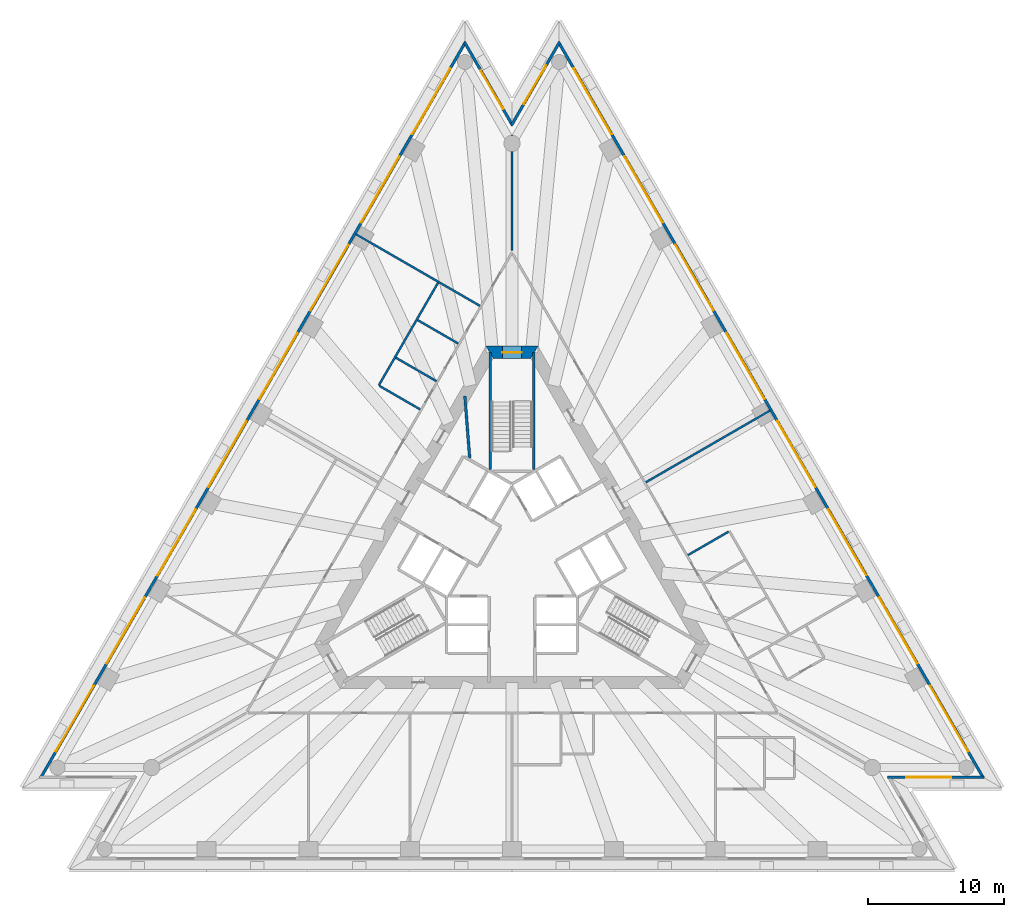
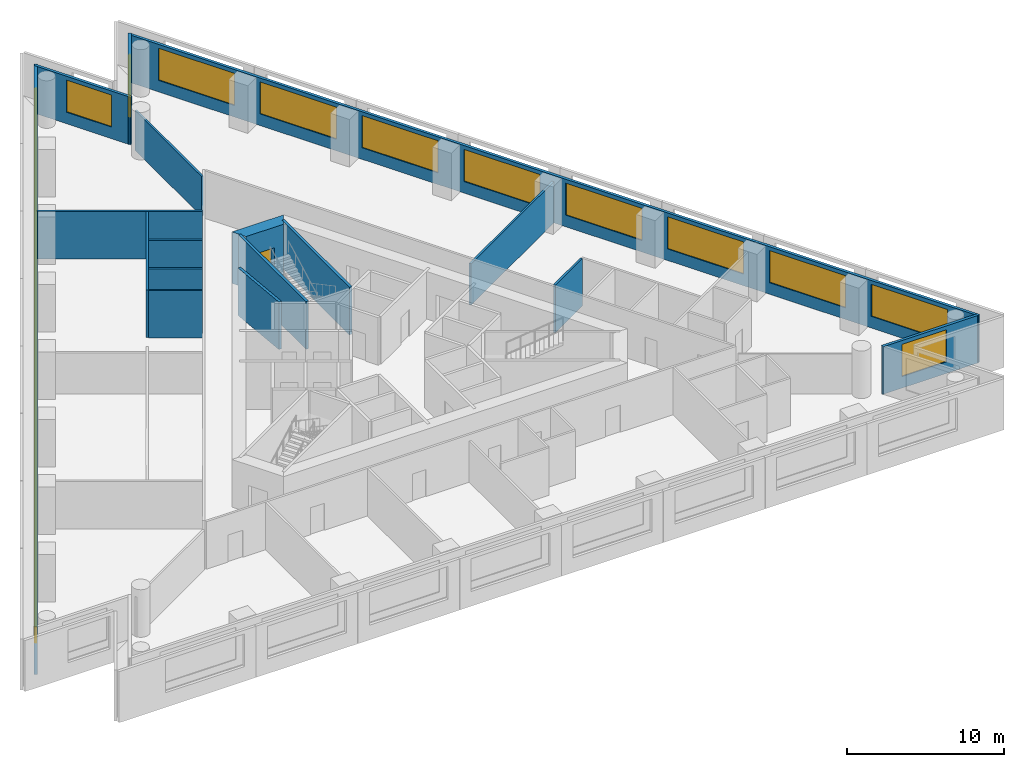
# One storey, part 6 of 9: 19 windows, 17 walls, 1 door, 20 openings.
"""IFC4 building model written with IfcOpenShell, lengths in metres."""

from ifc_helpers import new_model, si_unit, direction, frame, frame_2d, origin, place, context, subcontext, project, spatial, polyline, rectangle, outline, extrude, material, layer, layer_set, layer_usage, type_object, element, fill, save


model = new_model("IFC4")

# Units and contexts
model_context = context("Model", 3, precision=1e-05, world=origin(), true_north=direction((0.0, 1.0)))
body_context = subcontext(model_context, "Body", "Model", "MODEL_VIEW")
ifc_project = project(units=[si_unit("LENGTHUNIT", "METRE"), si_unit("AREAUNIT", "SQUARE_METRE"), si_unit("VOLUMEUNIT", "CUBIC_METRE"), si_unit("PLANEANGLEUNIT", "RADIAN"), si_unit("MASSUNIT", "GRAM", prefix="KILO")], contexts=[model_context])

# Site, building, storey
site_placement = place(None, origin())
site = spatial("IfcSite", under=ifc_project, at=site_placement, CompositionType="ELEMENT")
building_placement = place(site_placement, origin())
building = spatial("IfcBuilding", under=site, at=building_placement, Name="Triada Interchange Tower", CompositionType="ELEMENT")
storey_placement = place(building_placement, frame((0.0, 0.0, 47.300048828125)))
storey = spatial("IfcBuildingStorey", under=building, at=storey_placement, Name="L09", CompositionType="ELEMENT", Elevation=47.300048828125)

# Walls
ifc_material_1 = material(Name="Concrete C30/37", Category="concrete")
ifc_layer_1 = layer(ifc_material_1, 0.199951171875)
ifc_layer_set_1 = layer_set([ifc_layer_1], Name="CORE WALL 200 EI 90")
wall_type_1 = type_object("IfcWallType", Name="CORE WALL 200 EI 90", PredefinedType="SOLIDWALL", material=ifc_layer_set_1)
wall_1_placement = place(storey_placement, frame((-3.470947265625, 12.048095703125, 0.0), z_axis=(0.0, 0.0, 1.0), x_axis=(0.077900012222, -0.996961176825, 0.0)))
element("IfcWall", 1, at=wall_1_placement, inside=storey, type_object=wall_type_1, Name="Wall L09 74", PredefinedType="SOLIDWALL", context=body_context, shape_type="SweptSolid", body=[
    extrude(rectangle(XDim=4.60693359375, YDim=0.199951171875, at=frame_2d((2.303466796875, 0.0))), origin(), (0.0, 0.0, 1.0), 3.699951171875),
])
ifc_layer_2 = layer(ifc_material_1, 0.199951171875)
ifc_layer_set_2 = layer_set([ifc_layer_2], Name="CORE WALL 200 REI 240")
wall_type_2 = type_object("IfcWallType", Name="CORE WALL 200 REI 240", PredefinedType="SOLIDWALL", material=ifc_layer_set_2)
for number, where, z_axis, x_axis, name in (
    (2, (1.60009765625, 6.614990234375, 0.0), (0.0, 0.0, 1.0), (0.0, 1.0, 0.0), "Wall L09 78"),
    (3, (-1.60009765625, 6.614990234375, 0.0), (0.0, 0.0, 1.0), (0.0, 1.0, 0.0), "Wall L09 80"),
):
    element("IfcWall", number, at=place(storey_placement, frame(where, z_axis=z_axis, x_axis=x_axis)), inside=storey, type_object=wall_type_2, Name=name, PredefinedType="SOLIDWALL", context=body_context, shape_type="SweptSolid", body=[
        extrude(rectangle(XDim=8.614990234375, YDim=0.199951171875, at=frame_2d((4.3076171875, 0.0))), origin(), (0.0, 0.0, 1.0), 3.699951171875),
    ])

# Wall, opening, door
ifc_material_2 = material(Name="Concrete C70/85", Category="concrete")
ifc_layer_3 = layer(ifc_material_2, 0.89990234375)
ifc_layer_set_3 = layer_set([ifc_layer_3], Name="Core wall A 900")
wall_type_3 = type_object("IfcWallType", Name="Core wall A 900", PredefinedType="SHEAR", material=ifc_layer_set_3)
wall_2_placement = place(storey_placement, frame((1.64501953125, 15.25, -0.300048828125), z_axis=(0.0, 0.0, 1.0), x_axis=(-1.0, 0.0, 0.0)))
wall_2 = element("IfcWall", 4, at=wall_2_placement, inside=storey, type_object=wall_type_3, Name="Core wall WA01 L09", PredefinedType="SHEAR", context=body_context, shape_type="SweptSolid", body=[
    extrude(outline(polyline([(-0.260009765625, -0.449951171875), (1.64501953125, -0.449951171875), (3.550048828125, -0.449951171875), (3.031005859375, 0.449951171875), (1.64501953125, 0.449951171875), (0.259033203125, 0.449951171875), (-0.260009765625, -0.449951171875)])), origin(), (0.0, 0.0, 1.0), 4.0),
])
opening_1_placement = place(wall_2_placement, frame((0.945068359375, 0.0, 0.300048828125)))
opening_1 = element("IfcOpeningElement", 5, at=opening_1_placement, cuts=wall_2, Name="Opening D09-36", PredefinedType="OPENING", context=body_context, shape_type="SweptSolid", body=[
    extrude(rectangle(XDim=1.39990234375, YDim=2.10009765625, at=frame_2d((0.699951171875, 1.050048828125))), frame((0.0, 0.4599609375, 0.0), z_axis=(0.0, -1.0, 0.0), x_axis=(1.0, 0.0, 0.0)), (0.0, 0.0, 1.0), 0.919921875),
])
ifc_material_3 = material(Name="Steel S235 door leaf", Category="steel")
door_type = type_object("IfcDoorType", Name="STAIR DOOR 1400 EI2 90-C5S200", OperationType="DOUBLE_DOOR_SINGLE_SWING", PredefinedType="DOOR", material=ifc_material_3)
door_placement = place(opening_1_placement, origin())
door = element("IfcDoor", 6, at=door_placement, inside=storey, type_object=door_type, Name="Door D09-36 L09", OperationType="DOUBLE_DOOR_SINGLE_SWING", OverallHeight=2.10009765625, OverallWidth=1.39990234375, PredefinedType="DOOR", context=body_context, shape_type="SweptSolid", body=[
    extrude(rectangle(XDim=1.39990234375, YDim=2.10009765625, at=frame_2d((0.699951171875, 1.050048828125))), frame((0.0, 0.02490234375, 0.0), z_axis=(0.0, -1.0, 0.0), x_axis=(1.0, 0.0, 0.0)), (0.0, 0.0, 1.0), 0.050048828125),
])
fill(opening_1, door)

# Wall, openings, windows
ifc_material_4 = material(Name="Cement board")
ifc_layer_4 = layer(ifc_material_4, 0.02001953125, Name="Cement board cladding")
ifc_material_5 = material(Name="Sheathing board")
ifc_layer_5 = layer(ifc_material_5, 0.014892578125, Name="Sheathing board")
ifc_material_6 = material(Name="Mineral wool")
ifc_layer_6 = layer(ifc_material_6, 0.14990234375, Name="Mineral wool between steel studs")
ifc_material_7 = material(Name="Gypsum board")
ifc_layer_7 = layer(ifc_material_7, 0.014892578125, Name="Plasterboard lining")
ifc_layer_set_4 = layer_set([ifc_layer_4, ifc_layer_5, ifc_layer_6, ifc_layer_7], Name="External wall 200")
ifc_layer_usage = layer_usage(ifc_layer_set_4, "AXIS2", "POSITIVE", -0.10009765625)
wall_type_4 = type_object("IfcWallType", Name="External wall 200", PredefinedType="ELEMENTEDWALL", material=ifc_layer_set_4)
wall_3_placement = place(storey_placement, frame((-3.4169921875, 38.095947265625, 0.0), z_axis=(0.0, 0.0, 1.0), x_axis=(-0.500000412988, -0.866025165346, 0.0)))
wall_3 = element("IfcWall", 7, at=wall_3_placement, inside=storey, type_object=wall_type_4, material=ifc_layer_usage, Name="External wall L09 NW", PredefinedType="ELEMENTEDWALL", context=body_context, shape_type="SweptSolid", body=[
    extrude(rectangle(XDim=62.5478515625, YDim=0.199951171875, at=frame_2d((31.27392578125, 0.0))), origin(), (0.0, 0.0, 1.0), 3.699951171875),
])
opening_2_placement = place(wall_3_placement, frame((2.25, 0.0, 0.89990234375)))
opening_2 = element("IfcOpeningElement", 8, at=opening_2_placement, cuts=wall_3, Name="Opening WA01", PredefinedType="OPENING", context=body_context, shape_type="SweptSolid", body=[
    extrude(rectangle(XDim=5.60009765625, YDim=2.5, at=frame_2d((2.800048828125, 1.25))), frame((0.0, 0.10986328125, 0.0), z_axis=(0.0, -1.0, 0.0), x_axis=(1.0, 0.0, 0.0)), (0.0, 0.0, 1.0), 0.219970703125),
])
opening_3_placement = place(wall_3_placement, frame((9.7451171875, 0.0, 0.89990234375)))
opening_3 = element("IfcOpeningElement", 9, at=opening_3_placement, cuts=wall_3, Name="Opening WA02", PredefinedType="OPENING", context=body_context, shape_type="SweptSolid", body=[
    extrude(rectangle(XDim=5.60009765625, YDim=2.5, at=frame_2d((2.800048828125, 1.25))), frame((0.0, 0.10986328125, 0.0), z_axis=(0.0, -1.0, 0.0), x_axis=(1.0, 0.0, 0.0)), (0.0, 0.0, 1.0), 0.219970703125),
])
opening_4_placement = place(wall_3_placement, frame((17.240966796875, 0.0, 0.89990234375)))
opening_4 = element("IfcOpeningElement", 10, at=opening_4_placement, cuts=wall_3, Name="Opening WA03", PredefinedType="OPENING", context=body_context, shape_type="SweptSolid", body=[
    extrude(rectangle(XDim=5.60009765625, YDim=2.5, at=frame_2d((2.800048828125, 1.25))), frame((0.0, 0.10986328125, 0.0), z_axis=(0.0, -1.0, 0.0), x_axis=(1.0, 0.0, 0.0)), (0.0, 0.0, 1.0), 0.219970703125),
])
opening_5_placement = place(wall_3_placement, frame((24.736083984375, 0.0, 0.89990234375)))
opening_5 = element("IfcOpeningElement", 11, at=opening_5_placement, cuts=wall_3, Name="Opening WA04", PredefinedType="OPENING", context=body_context, shape_type="SweptSolid", body=[
    extrude(rectangle(XDim=5.60009765625, YDim=2.5, at=frame_2d((2.800048828125, 1.25))), frame((0.0, 0.10986328125, 0.0), z_axis=(0.0, -1.0, 0.0), x_axis=(1.0, 0.0, 0.0)), (0.0, 0.0, 1.0), 0.219970703125),
])
opening_6_placement = place(wall_3_placement, frame((32.23095703125, 0.0, 0.89990234375)))
opening_6 = element("IfcOpeningElement", 12, at=opening_6_placement, cuts=wall_3, Name="Opening WA05", PredefinedType="OPENING", context=body_context, shape_type="SweptSolid", body=[
    extrude(rectangle(XDim=5.60009765625, YDim=2.5, at=frame_2d((2.800048828125, 1.25))), frame((0.0, 0.10986328125, 0.0), z_axis=(0.0, -1.0, 0.0), x_axis=(1.0, 0.0, 0.0)), (0.0, 0.0, 1.0), 0.219970703125),
])
opening_7_placement = place(wall_3_placement, frame((39.72705078125, 0.0, 0.89990234375)))
opening_7 = element("IfcOpeningElement", 13, at=opening_7_placement, cuts=wall_3, Name="Opening WA06", PredefinedType="OPENING", context=body_context, shape_type="SweptSolid", body=[
    extrude(rectangle(XDim=5.60009765625, YDim=2.5, at=frame_2d((2.800048828125, 1.25))), frame((0.0, 0.10986328125, 0.0), z_axis=(0.0, -1.0, 0.0), x_axis=(1.0, 0.0, 0.0)), (0.0, 0.0, 1.0), 0.219970703125),
])
opening_8_placement = place(wall_3_placement, frame((47.221923828125, 0.0, 0.89990234375)))
opening_8 = element("IfcOpeningElement", 14, at=opening_8_placement, cuts=wall_3, Name="Opening WA07", PredefinedType="OPENING", context=body_context, shape_type="SweptSolid", body=[
    extrude(rectangle(XDim=5.60009765625, YDim=2.5, at=frame_2d((2.800048828125, 1.25))), frame((0.0, 0.10986328125, 0.0), z_axis=(0.0, -1.0, 0.0), x_axis=(1.0, 0.0, 0.0)), (0.0, 0.0, 1.0), 0.219970703125),
])
opening_9_placement = place(wall_3_placement, frame((54.717041015625, 0.0, 0.89990234375)))
opening_9 = element("IfcOpeningElement", 15, at=opening_9_placement, cuts=wall_3, Name="Opening WA08", PredefinedType="OPENING", context=body_context, shape_type="SweptSolid", body=[
    extrude(rectangle(XDim=5.60009765625, YDim=2.5, at=frame_2d((2.800048828125, 1.25))), frame((0.0, 0.10986328125, 0.0), z_axis=(0.0, -1.0, 0.0), x_axis=(1.0, 0.0, 0.0)), (0.0, 0.0, 1.0), 0.219970703125),
])
ifc_material_8 = material(Name="Double glazed aluminium window", Category="aluminium")
window_type_1 = type_object("IfcWindowType", Name="Ribbon window A face", PartitioningType="SINGLE_PANEL", PredefinedType="WINDOW", material=ifc_material_8)
window_1_placement = place(opening_2_placement, origin())
window_1 = element("IfcWindow", 16, at=window_1_placement, inside=storey, type_object=window_type_1, Name="Window L09 NW 1", OverallHeight=2.5, OverallWidth=5.60009765625, PartitioningType="SINGLE_PANEL", PredefinedType="WINDOW", context=body_context, shape_type="SweptSolid", body=[
    extrude(rectangle(XDim=5.60009765625, YDim=2.5, at=frame_2d((2.800048828125, 1.25))), frame((0.0, 0.030029296875, 0.0), z_axis=(0.0, -1.0, 0.0), x_axis=(1.0, 0.0, 0.0)), (0.0, 0.0, 1.0), 0.06005859375),
])
fill(opening_2, window_1)
window_2_placement = place(opening_3_placement, origin())
window_2 = element("IfcWindow", 17, at=window_2_placement, inside=storey, type_object=window_type_1, Name="Window L09 NW 2", OverallHeight=2.5, OverallWidth=5.60009765625, PartitioningType="SINGLE_PANEL", PredefinedType="WINDOW", context=body_context, shape_type="SweptSolid", body=[
    extrude(rectangle(XDim=5.60009765625, YDim=2.5, at=frame_2d((2.800048828125, 1.25))), frame((0.0, 0.030029296875, 0.0), z_axis=(0.0, -1.0, 0.0), x_axis=(1.0, 0.0, 0.0)), (0.0, 0.0, 1.0), 0.06005859375),
])
fill(opening_3, window_2)
window_3_placement = place(opening_4_placement, origin())
window_3 = element("IfcWindow", 18, at=window_3_placement, inside=storey, type_object=window_type_1, Name="Window L09 NW 3", OverallHeight=2.5, OverallWidth=5.60009765625, PartitioningType="SINGLE_PANEL", PredefinedType="WINDOW", context=body_context, shape_type="SweptSolid", body=[
    extrude(rectangle(XDim=5.60009765625, YDim=2.5, at=frame_2d((2.800048828125, 1.25))), frame((0.0, 0.030029296875, 0.0), z_axis=(0.0, -1.0, 0.0), x_axis=(1.0, 0.0, 0.0)), (0.0, 0.0, 1.0), 0.06005859375),
])
fill(opening_4, window_3)
window_4_placement = place(opening_5_placement, origin())
window_4 = element("IfcWindow", 19, at=window_4_placement, inside=storey, type_object=window_type_1, Name="Window L09 NW 4", OverallHeight=2.5, OverallWidth=5.60009765625, PartitioningType="SINGLE_PANEL", PredefinedType="WINDOW", context=body_context, shape_type="SweptSolid", body=[
    extrude(rectangle(XDim=5.60009765625, YDim=2.5, at=frame_2d((2.800048828125, 1.25))), frame((0.0, 0.030029296875, 0.0), z_axis=(0.0, -1.0, 0.0), x_axis=(1.0, 0.0, 0.0)), (0.0, 0.0, 1.0), 0.06005859375),
])
fill(opening_5, window_4)
window_5_placement = place(opening_6_placement, origin())
window_5 = element("IfcWindow", 20, at=window_5_placement, inside=storey, type_object=window_type_1, Name="Window L09 NW 5", OverallHeight=2.5, OverallWidth=5.60009765625, PartitioningType="SINGLE_PANEL", PredefinedType="WINDOW", context=body_context, shape_type="SweptSolid", body=[
    extrude(rectangle(XDim=5.60009765625, YDim=2.5, at=frame_2d((2.800048828125, 1.25))), frame((0.0, 0.030029296875, 0.0), z_axis=(0.0, -1.0, 0.0), x_axis=(1.0, 0.0, 0.0)), (0.0, 0.0, 1.0), 0.06005859375),
])
fill(opening_6, window_5)
window_6_placement = place(opening_7_placement, origin())
window_6 = element("IfcWindow", 21, at=window_6_placement, inside=storey, type_object=window_type_1, Name="Window L09 NW 6", OverallHeight=2.5, OverallWidth=5.60009765625, PartitioningType="SINGLE_PANEL", PredefinedType="WINDOW", context=body_context, shape_type="SweptSolid", body=[
    extrude(rectangle(XDim=5.60009765625, YDim=2.5, at=frame_2d((2.800048828125, 1.25))), frame((0.0, 0.030029296875, 0.0), z_axis=(0.0, -1.0, 0.0), x_axis=(1.0, 0.0, 0.0)), (0.0, 0.0, 1.0), 0.06005859375),
])
fill(opening_7, window_6)
window_7_placement = place(opening_8_placement, origin())
window_7 = element("IfcWindow", 22, at=window_7_placement, inside=storey, type_object=window_type_1, Name="Window L09 NW 7", OverallHeight=2.5, OverallWidth=5.60009765625, PartitioningType="SINGLE_PANEL", PredefinedType="WINDOW", context=body_context, shape_type="SweptSolid", body=[
    extrude(rectangle(XDim=5.60009765625, YDim=2.5, at=frame_2d((2.800048828125, 1.25))), frame((0.0, 0.030029296875, 0.0), z_axis=(0.0, -1.0, 0.0), x_axis=(1.0, 0.0, 0.0)), (0.0, 0.0, 1.0), 0.06005859375),
])
fill(opening_8, window_7)
window_8_placement = place(opening_9_placement, origin())
window_8 = element("IfcWindow", 23, at=window_8_placement, inside=storey, type_object=window_type_1, Name="Window L09 NW 8", OverallHeight=2.5, OverallWidth=5.60009765625, PartitioningType="SINGLE_PANEL", PredefinedType="WINDOW", context=body_context, shape_type="SweptSolid", body=[
    extrude(rectangle(XDim=5.60009765625, YDim=2.5, at=frame_2d((2.800048828125, 1.25))), frame((0.0, 0.030029296875, 0.0), z_axis=(0.0, -1.0, 0.0), x_axis=(1.0, 0.0, 0.0)), (0.0, 0.0, 1.0), 0.06005859375),
])
fill(opening_9, window_8)

# Wall, opening, window
wall_4_placement = place(storey_placement, frame((27.64208984375, -16.010986328125, 0.0), z_axis=(0.0, 0.0, 1.0), x_axis=(1.0, 0.0, 0.0)))
wall_4 = element("IfcWall", 24, at=wall_4_placement, inside=storey, type_object=wall_type_4, material=ifc_layer_usage, Name="External wall L09 SE-2", PredefinedType="ELEMENTEDWALL", context=body_context, shape_type="SweptSolid", body=[
    extrude(rectangle(XDim=7.083984375, YDim=0.199951171875, at=frame_2d((3.5419921875, 0.0))), origin(), (0.0, 0.0, 1.0), 3.699951171875),
])
opening_10_placement = place(wall_4_placement, frame((1.389892578125, 0.0, 0.89990234375)))
opening_10 = element("IfcOpeningElement", 25, at=opening_10_placement, cuts=wall_4, Name="Opening WA20", PredefinedType="OPENING", context=body_context, shape_type="SweptSolid", body=[
    extrude(rectangle(XDim=3.300048828125, YDim=2.5, at=frame_2d((1.64990234375, 1.25))), frame((0.0, 0.10986328125, 0.0), z_axis=(0.0, -1.0, 0.0), x_axis=(1.0, 0.0, 0.0)), (0.0, 0.0, 1.0), 0.219970703125),
])
window_type_2 = type_object("IfcWindowType", Name="Ribbon window A pocket", PartitioningType="SINGLE_PANEL", PredefinedType="WINDOW", material=ifc_material_8)
window_9_placement = place(opening_10_placement, origin())
window_9 = element("IfcWindow", 26, at=window_9_placement, inside=storey, type_object=window_type_2, Name="Window L09 SE-2 1", OverallHeight=2.5, OverallWidth=3.300048828125, PartitioningType="SINGLE_PANEL", PredefinedType="WINDOW", context=body_context, shape_type="SweptSolid", body=[
    extrude(rectangle(XDim=3.300048828125, YDim=2.5, at=frame_2d((1.64990234375, 1.25))), frame((0.0, 0.030029296875, 0.0), z_axis=(0.0, -1.0, 0.0), x_axis=(1.0, 0.0, 0.0)), (0.0, 0.0, 1.0), 0.06005859375),
])
fill(opening_10, window_9)

# Wall, openings, windows
wall_5_placement = place(storey_placement, frame((34.700927734375, -16.089111328125, 0.0), z_axis=(0.0, 0.0, 1.0), x_axis=(-0.499998722828, 0.866026141159, 0.0)))
wall_5 = element("IfcWall", 27, at=wall_5_placement, inside=storey, type_object=wall_type_4, material=ifc_layer_usage, Name="External wall L09 NE", PredefinedType="ELEMENTEDWALL", context=body_context, shape_type="SweptSolid", body=[
    extrude(rectangle(XDim=62.548095703125, YDim=0.199951171875, at=frame_2d((31.27392578125, 0.0))), origin(), (0.0, 0.0, 1.0), 3.699951171875),
])
opening_11_placement = place(wall_5_placement, frame((2.25, 0.0, 0.89990234375)))
opening_11 = element("IfcOpeningElement", 28, at=opening_11_placement, cuts=wall_5, Name="Opening WA21", PredefinedType="OPENING", context=body_context, shape_type="SweptSolid", body=[
    extrude(rectangle(XDim=5.60009765625, YDim=2.5, at=frame_2d((2.800048828125, 1.25))), frame((0.0, 0.10986328125, 0.0), z_axis=(0.0, -1.0, 0.0), x_axis=(1.0, 0.0, 0.0)), (0.0, 0.0, 1.0), 0.219970703125),
])
opening_12_placement = place(wall_5_placement, frame((9.74609375, 0.0, 0.89990234375)))
opening_12 = element("IfcOpeningElement", 29, at=opening_12_placement, cuts=wall_5, Name="Opening WA22", PredefinedType="OPENING", context=body_context, shape_type="SweptSolid", body=[
    extrude(rectangle(XDim=5.60009765625, YDim=2.5, at=frame_2d((2.800048828125, 1.25))), frame((0.0, 0.10986328125, 0.0), z_axis=(0.0, -1.0, 0.0), x_axis=(1.0, 0.0, 0.0)), (0.0, 0.0, 1.0), 0.219970703125),
])
opening_13_placement = place(wall_5_placement, frame((17.240966796875, 0.0, 0.89990234375)))
opening_13 = element("IfcOpeningElement", 30, at=opening_13_placement, cuts=wall_5, Name="Opening WA23", PredefinedType="OPENING", context=body_context, shape_type="SweptSolid", body=[
    extrude(rectangle(XDim=5.60009765625, YDim=2.5, at=frame_2d((2.800048828125, 1.25))), frame((0.0, 0.10986328125, 0.0), z_axis=(0.0, -1.0, 0.0), x_axis=(1.0, 0.0, 0.0)), (0.0, 0.0, 1.0), 0.219970703125),
])
opening_14_placement = place(wall_5_placement, frame((24.736083984375, 0.0, 0.89990234375)))
opening_14 = element("IfcOpeningElement", 31, at=opening_14_placement, cuts=wall_5, Name="Opening WA24", PredefinedType="OPENING", context=body_context, shape_type="SweptSolid", body=[
    extrude(rectangle(XDim=5.60009765625, YDim=2.5, at=frame_2d((2.800048828125, 1.25))), frame((0.0, 0.10986328125, 0.0), z_axis=(0.0, -1.0, 0.0), x_axis=(1.0, 0.0, 0.0)), (0.0, 0.0, 1.0), 0.219970703125),
])
opening_15_placement = place(wall_5_placement, frame((32.23193359375, 0.0, 0.89990234375)))
opening_15 = element("IfcOpeningElement", 32, at=opening_15_placement, cuts=wall_5, Name="Opening WA25", PredefinedType="OPENING", context=body_context, shape_type="SweptSolid", body=[
    extrude(rectangle(XDim=5.60009765625, YDim=2.5, at=frame_2d((2.800048828125, 1.25))), frame((0.0, 0.10986328125, 0.0), z_axis=(0.0, -1.0, 0.0), x_axis=(1.0, 0.0, 0.0)), (0.0, 0.0, 1.0), 0.219970703125),
])
opening_16_placement = place(wall_5_placement, frame((39.72705078125, 0.0, 0.89990234375)))
opening_16 = element("IfcOpeningElement", 33, at=opening_16_placement, cuts=wall_5, Name="Opening WA26", PredefinedType="OPENING", context=body_context, shape_type="SweptSolid", body=[
    extrude(rectangle(XDim=5.60009765625, YDim=2.5, at=frame_2d((2.800048828125, 1.25))), frame((0.0, 0.10986328125, 0.0), z_axis=(0.0, -1.0, 0.0), x_axis=(1.0, 0.0, 0.0)), (0.0, 0.0, 1.0), 0.219970703125),
])
opening_17_placement = place(wall_5_placement, frame((47.221923828125, 0.0, 0.89990234375)))
opening_17 = element("IfcOpeningElement", 34, at=opening_17_placement, cuts=wall_5, Name="Opening WA27", PredefinedType="OPENING", context=body_context, shape_type="SweptSolid", body=[
    extrude(rectangle(XDim=5.60009765625, YDim=2.5, at=frame_2d((2.800048828125, 1.25))), frame((0.0, 0.10986328125, 0.0), z_axis=(0.0, -1.0, 0.0), x_axis=(1.0, 0.0, 0.0)), (0.0, 0.0, 1.0), 0.219970703125),
])
opening_18_placement = place(wall_5_placement, frame((54.717041015625, 0.0, 0.89990234375)))
opening_18 = element("IfcOpeningElement", 35, at=opening_18_placement, cuts=wall_5, Name="Opening WA28", PredefinedType="OPENING", context=body_context, shape_type="SweptSolid", body=[
    extrude(rectangle(XDim=5.60009765625, YDim=2.5, at=frame_2d((2.800048828125, 1.25))), frame((0.0, 0.10986328125, 0.0), z_axis=(0.0, -1.0, 0.0), x_axis=(1.0, 0.0, 0.0)), (0.0, 0.0, 1.0), 0.219970703125),
])
window_10_placement = place(opening_11_placement, origin())
window_10 = element("IfcWindow", 36, at=window_10_placement, inside=storey, type_object=window_type_1, Name="Window L09 NE 1", OverallHeight=2.5, OverallWidth=5.60009765625, PartitioningType="SINGLE_PANEL", PredefinedType="WINDOW", context=body_context, shape_type="SweptSolid", body=[
    extrude(rectangle(XDim=5.60009765625, YDim=2.5, at=frame_2d((2.800048828125, 1.25))), frame((0.0, 0.030029296875, 0.0), z_axis=(0.0, -1.0, 0.0), x_axis=(1.0, 0.0, 0.0)), (0.0, 0.0, 1.0), 0.06005859375),
])
fill(opening_11, window_10)
window_11_placement = place(opening_12_placement, origin())
window_11 = element("IfcWindow", 37, at=window_11_placement, inside=storey, type_object=window_type_1, Name="Window L09 NE 2", OverallHeight=2.5, OverallWidth=5.60009765625, PartitioningType="SINGLE_PANEL", PredefinedType="WINDOW", context=body_context, shape_type="SweptSolid", body=[
    extrude(rectangle(XDim=5.60009765625, YDim=2.5, at=frame_2d((2.800048828125, 1.25))), frame((0.0, 0.030029296875, 0.0), z_axis=(0.0, -1.0, 0.0), x_axis=(1.0, 0.0, 0.0)), (0.0, 0.0, 1.0), 0.06005859375),
])
fill(opening_12, window_11)
window_12_placement = place(opening_13_placement, origin())
window_12 = element("IfcWindow", 38, at=window_12_placement, inside=storey, type_object=window_type_1, Name="Window L09 NE 3", OverallHeight=2.5, OverallWidth=5.60009765625, PartitioningType="SINGLE_PANEL", PredefinedType="WINDOW", context=body_context, shape_type="SweptSolid", body=[
    extrude(rectangle(XDim=5.60009765625, YDim=2.5, at=frame_2d((2.800048828125, 1.25))), frame((0.0, 0.030029296875, 0.0), z_axis=(0.0, -1.0, 0.0), x_axis=(1.0, 0.0, 0.0)), (0.0, 0.0, 1.0), 0.06005859375),
])
fill(opening_13, window_12)
window_13_placement = place(opening_14_placement, origin())
window_13 = element("IfcWindow", 39, at=window_13_placement, inside=storey, type_object=window_type_1, Name="Window L09 NE 4", OverallHeight=2.5, OverallWidth=5.60009765625, PartitioningType="SINGLE_PANEL", PredefinedType="WINDOW", context=body_context, shape_type="SweptSolid", body=[
    extrude(rectangle(XDim=5.60009765625, YDim=2.5, at=frame_2d((2.800048828125, 1.25))), frame((0.0, 0.030029296875, 0.0), z_axis=(0.0, -1.0, 0.0), x_axis=(1.0, 0.0, 0.0)), (0.0, 0.0, 1.0), 0.06005859375),
])
fill(opening_14, window_13)
window_14_placement = place(opening_15_placement, origin())
window_14 = element("IfcWindow", 40, at=window_14_placement, inside=storey, type_object=window_type_1, Name="Window L09 NE 5", OverallHeight=2.5, OverallWidth=5.60009765625, PartitioningType="SINGLE_PANEL", PredefinedType="WINDOW", context=body_context, shape_type="SweptSolid", body=[
    extrude(rectangle(XDim=5.60009765625, YDim=2.5, at=frame_2d((2.800048828125, 1.25))), frame((0.0, 0.030029296875, 0.0), z_axis=(0.0, -1.0, 0.0), x_axis=(1.0, 0.0, 0.0)), (0.0, 0.0, 1.0), 0.06005859375),
])
fill(opening_15, window_14)
window_15_placement = place(opening_16_placement, origin())
window_15 = element("IfcWindow", 41, at=window_15_placement, inside=storey, type_object=window_type_1, Name="Window L09 NE 6", OverallHeight=2.5, OverallWidth=5.60009765625, PartitioningType="SINGLE_PANEL", PredefinedType="WINDOW", context=body_context, shape_type="SweptSolid", body=[
    extrude(rectangle(XDim=5.60009765625, YDim=2.5, at=frame_2d((2.800048828125, 1.25))), frame((0.0, 0.030029296875, 0.0), z_axis=(0.0, -1.0, 0.0), x_axis=(1.0, 0.0, 0.0)), (0.0, 0.0, 1.0), 0.06005859375),
])
fill(opening_16, window_15)
window_16_placement = place(opening_17_placement, origin())
window_16 = element("IfcWindow", 42, at=window_16_placement, inside=storey, type_object=window_type_1, Name="Window L09 NE 7", OverallHeight=2.5, OverallWidth=5.60009765625, PartitioningType="SINGLE_PANEL", PredefinedType="WINDOW", context=body_context, shape_type="SweptSolid", body=[
    extrude(rectangle(XDim=5.60009765625, YDim=2.5, at=frame_2d((2.800048828125, 1.25))), frame((0.0, 0.030029296875, 0.0), z_axis=(0.0, -1.0, 0.0), x_axis=(1.0, 0.0, 0.0)), (0.0, 0.0, 1.0), 0.06005859375),
])
fill(opening_17, window_16)
window_17_placement = place(opening_18_placement, origin())
window_17 = element("IfcWindow", 43, at=window_17_placement, inside=storey, type_object=window_type_1, Name="Window L09 NE 8", OverallHeight=2.5, OverallWidth=5.60009765625, PartitioningType="SINGLE_PANEL", PredefinedType="WINDOW", context=body_context, shape_type="SweptSolid", body=[
    extrude(rectangle(XDim=5.60009765625, YDim=2.5, at=frame_2d((2.800048828125, 1.25))), frame((0.0, 0.030029296875, 0.0), z_axis=(0.0, -1.0, 0.0), x_axis=(1.0, 0.0, 0.0)), (0.0, 0.0, 1.0), 0.06005859375),
])
fill(opening_18, window_17)

# Wall, opening, window
wall_6_placement = place(storey_placement, frame((3.507080078125, 38.095947265625, 0.0), z_axis=(0.0, 0.0, 1.0), x_axis=(-0.499993928037, -0.866028909405, 0.0)))
wall_6 = element("IfcWall", 44, at=wall_6_placement, inside=storey, type_object=wall_type_4, material=ifc_layer_usage, Name="External wall L09 N-1", PredefinedType="ELEMENTEDWALL", context=body_context, shape_type="SweptSolid", body=[
    extrude(rectangle(XDim=7.083984375, YDim=0.199951171875, at=frame_2d((3.5419921875, 0.0))), origin(), (0.0, 0.0, 1.0), 3.699951171875),
])
opening_19_placement = place(wall_6_placement, frame((1.989990234375, 0.0, 0.89990234375)))
opening_19 = element("IfcOpeningElement", 45, at=opening_19_placement, cuts=wall_6, Name="Opening WA29", PredefinedType="OPENING", context=body_context, shape_type="SweptSolid", body=[
    extrude(rectangle(XDim=3.300048828125, YDim=2.5, at=frame_2d((1.64990234375, 1.25))), frame((0.0, 0.10986328125, 0.0), z_axis=(0.0, -1.0, 0.0), x_axis=(1.0, 0.0, 0.0)), (0.0, 0.0, 1.0), 0.219970703125),
])
window_18_placement = place(opening_19_placement, origin())
window_18 = element("IfcWindow", 46, at=window_18_placement, inside=storey, type_object=window_type_2, Name="Window L09 N-1 1", OverallHeight=2.5, OverallWidth=3.300048828125, PartitioningType="SINGLE_PANEL", PredefinedType="WINDOW", context=body_context, shape_type="SweptSolid", body=[
    extrude(rectangle(XDim=3.300048828125, YDim=2.5, at=frame_2d((1.64990234375, 1.25))), frame((0.0, 0.030029296875, 0.0), z_axis=(0.0, -1.0, 0.0), x_axis=(1.0, 0.0, 0.0)), (0.0, 0.0, 1.0), 0.06005859375),
])
fill(opening_19, window_18)

wall_7_placement = place(storey_placement, frame((0.044921875, 31.944091796875, 0.0), z_axis=(0.0, 0.0, 1.0), x_axis=(-0.499993928037, 0.866028909405, 0.0)))
wall_7 = element("IfcWall", 47, at=wall_7_placement, inside=storey, type_object=wall_type_4, material=ifc_layer_usage, Name="External wall L09 N-2", PredefinedType="ELEMENTEDWALL", context=body_context, shape_type="SweptSolid", body=[
    extrude(rectangle(XDim=7.083984375, YDim=0.199951171875, at=frame_2d((3.5419921875, 0.0))), origin(), (0.0, 0.0, 1.0), 3.699951171875),
])
opening_20_placement = place(wall_7_placement, frame((1.389892578125, 0.0, 0.89990234375)))
opening_20 = element("IfcOpeningElement", 48, at=opening_20_placement, cuts=wall_7, Name="Opening WA30", PredefinedType="OPENING", context=body_context, shape_type="SweptSolid", body=[
    extrude(rectangle(XDim=3.300048828125, YDim=2.5, at=frame_2d((1.64990234375, 1.25))), frame((0.0, 0.10986328125, 0.0), z_axis=(0.0, -1.0, 0.0), x_axis=(1.0, 0.0, 0.0)), (0.0, 0.0, 1.0), 0.219970703125),
])
window_19_placement = place(opening_20_placement, origin())
window_19 = element("IfcWindow", 49, at=window_19_placement, inside=storey, type_object=window_type_2, Name="Window L09 N-2 1", OverallHeight=2.5, OverallWidth=3.300048828125, PartitioningType="SINGLE_PANEL", PredefinedType="WINDOW", context=body_context, shape_type="SweptSolid", body=[
    extrude(rectangle(XDim=3.300048828125, YDim=2.5, at=frame_2d((1.64990234375, 1.25))), frame((0.0, 0.030029296875, 0.0), z_axis=(0.0, -1.0, 0.0), x_axis=(1.0, 0.0, 0.0)), (0.0, 0.0, 1.0), 0.06005859375),
])
fill(opening_20, window_19)

# Walls
ifc_material_9 = material(Name="Gypsum board partition")
ifc_layer_8 = layer(ifc_material_9, 0.14990234375)
ifc_layer_set_5 = layer_set([ifc_layer_8], Name="PARTITION 150 EI 180")
wall_type_5 = type_object("IfcWallType", Name="PARTITION 150 EI 180", PredefinedType="PARTITIONING", material=ifc_layer_set_5)
wall_8_placement = place(storey_placement, frame((9.85107421875, 5.68701171875, 0.0), z_axis=(0.0, 0.0, 1.0), x_axis=(0.865971732763, 0.500092949416, 0.0)))
element("IfcWall", 50, at=wall_8_placement, inside=storey, type_object=wall_type_5, Name="Wall L09 2", PredefinedType="PARTITIONING", context=body_context, shape_type="SweptSolid", body=[
    extrude(rectangle(XDim=10.55224609375, YDim=0.14990234375, at=frame_2d((5.276123046875, 0.0))), origin(), (0.0, 0.0, 1.0), 3.199951171875),
])
wall_9_placement = place(storey_placement, frame((-11.493896484375, 23.946044921875, 0.0), z_axis=(0.0, 0.0, 1.0), x_axis=(0.866011810196, -0.500023544047, 0.0)))
element("IfcWall", 51, at=wall_9_placement, inside=storey, type_object=wall_type_5, Name="Wall L09 9", PredefinedType="PARTITIONING", context=body_context, shape_type="SweptSolid", body=[
    extrude(rectangle(XDim=10.5517578125, YDim=0.14990234375, at=frame_2d((5.27587890625, 0.0))), origin(), (0.0, 0.0, 1.0), 3.699951171875),
])
wall_10_placement = place(storey_placement, frame((-9.80810546875, 12.81103515625, 0.0), z_axis=(0.0, 0.0, 1.0), x_axis=(0.49992187278, 0.866070505857, 0.0)))
element("IfcWall", 52, at=wall_10_placement, inside=storey, type_object=wall_type_5, Name="Wall L09 10", PredefinedType="PARTITIONING", context=body_context, shape_type="SweptSolid", body=[
    extrude(rectangle(XDim=8.7255859375, YDim=0.14990234375, at=frame_2d((4.36279296875, 0.0))), origin(), (0.0, 0.0, 1.0), 3.699951171875),
])
wall_11_placement = place(storey_placement, frame((-9.742919921875, 12.77392578125, 0.0), z_axis=(0.0, 0.0, 1.0), x_axis=(0.865973391227, -0.500090077572, 0.0)))
element("IfcWall", 53, at=wall_11_placement, inside=storey, type_object=wall_type_5, Name="Wall L09 11", PredefinedType="PARTITIONING", context=body_context, shape_type="SweptSolid", body=[
    extrude(rectangle(XDim=3.448974609375, YDim=0.14990234375, at=frame_2d((1.724609375, 0.0))), origin(), (0.0, 0.0, 1.0), 3.699951171875),
])
for number, where, z_axis, x_axis, name in (
    (54, (-8.54296875, 14.85205078125, 0.0), (0.0, 0.0, 1.0), (0.865960440485, -0.500112502858, 0.0), "Wall L09 12"),
    (55, (-6.943115234375, 17.6240234375, 0.0), (0.0, 0.0, 1.0), (0.865960440485, -0.500112502858, 0.0), "Wall L09 14"),
):
    element("IfcWall", number, at=place(storey_placement, frame(where, z_axis=z_axis, x_axis=x_axis)), inside=storey, type_object=wall_type_5, Name=name, PredefinedType="PARTITIONING", context=body_context, shape_type="SweptSolid", body=[
        extrude(rectangle(XDim=3.449462890625, YDim=0.14990234375, at=frame_2d((1.724609375, 0.0))), origin(), (0.0, 0.0, 1.0), 3.699951171875),
    ])
wall_12_placement = place(storey_placement, frame((0.0, 22.75, 0.0), z_axis=(0.0, 0.0, 1.0), x_axis=(0.0, 1.0, 0.0)))
element("IfcWall", 56, at=wall_12_placement, inside=storey, type_object=wall_type_5, Name="Wall L09 16", PredefinedType="PARTITIONING", context=body_context, shape_type="SweptSolid", body=[
    extrude(rectangle(XDim=8.491943359375, YDim=0.14990234375, at=frame_2d((4.24609375, 0.0))), origin(), (0.0, 0.0, 1.0), 3.099853515625),
])
wall_13_placement = place(storey_placement, frame((12.947021484375, 0.325927734375, 0.0), z_axis=(0.0, 0.0, 1.0), x_axis=(0.865960440485, 0.500112502858, 0.0)))
element("IfcWall", 57, at=wall_13_placement, inside=storey, type_object=wall_type_5, Name="Wall L09 23", PredefinedType="PARTITIONING", context=body_context, shape_type="SweptSolid", body=[
    extrude(rectangle(XDim=3.449462890625, YDim=0.14990234375, at=frame_2d((1.724609375, 0.0))), origin(), (0.0, 0.0, 1.0), 3.699951171875),
])

save(model, "model.ifc")
